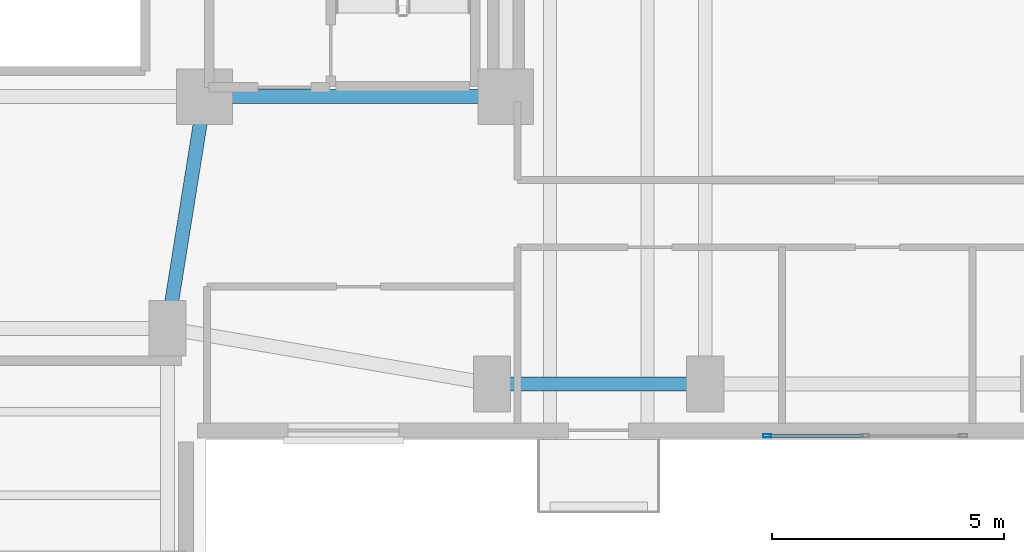
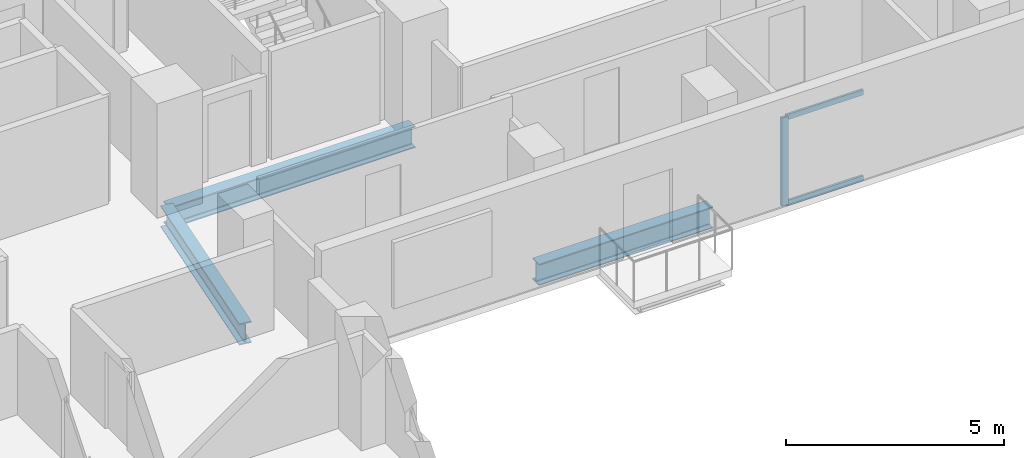
# One storey, part 4 of 14: 3 beams, 3 members, 1 element without a shape of its own.
"""IFC4 building model written with IfcOpenShell, lengths in metres."""

import ifcopenshell
import ifcopenshell.guid

model = None  # the IFC model being written
_history = None  # IfcOwnerHistory: only IFC2X3 demands one
_inside = {}  # id of a spatial element -> (the spatial element, [elements in it])
_under = {}  # id of a project, library or spatial element -> (it, [spatial elements below it])
_declared = {}  # id of a project -> (the project, [libraries it declares])
_typed = {}  # id of a type object -> (the type object, [elements of that type])
_made_of = {}  # id of a material, layer set ... -> (it, [elements and type objects made of it])


def new_model(schema):
    """Start an empty IFC model of exactly this schema.

    Asked for "IFC4X3", IfcOpenShell would pick the latest addendum, in which some entities
    have other attributes; the version numbers below select the first issue.
    IFC2X3 requires an IfcOwnerHistory on every rooted entity: one is made here for all.
    """
    global model, _history
    if schema == "IFC4X3":
        model = ifcopenshell.file(schema_version=(4, 3, 0, 0))
    else:
        model = ifcopenshell.file(schema=schema)
    _inside.clear()
    _under.clear()
    _declared.clear()
    _typed.clear()
    _made_of.clear()
    _history = None
    if model.schema == "IFC2X3":
        org = make("IfcOrganization", Name="unknown")
        user = make(
            "IfcPersonAndOrganization",
            ThePerson=make("IfcPerson", FamilyName="unknown"),
            TheOrganization=org,
        )
        app = make(
            "IfcApplication",
            ApplicationDeveloper=org,
            Version="unknown",
            ApplicationFullName="unknown",
            ApplicationIdentifier="unknown",
        )
        _history = make(
            "IfcOwnerHistory",
            OwningUser=user,
            OwningApplication=app,
            ChangeAction="ADDED",
            CreationDate=0,
        )
    return model


def make(cls, **values):
    """One entity of the class cls with the attributes given. An attribute that is None is left unset."""
    return model.create_entity(
        cls, **{name: value for name, value in values.items() if value is not None}
    )


def rooted(cls, **values):
    """An entity with a GlobalId (a new one), such as an element, a storey or a relation."""
    return make(cls, GlobalId=ifcopenshell.guid.new(), OwnerHistory=_history, **values)


def si_unit(unit_type, name, prefix=None):
    """IfcSIUnit, for example si_unit("LENGTHUNIT", "METRE", prefix="MILLI")."""
    return make("IfcSIUnit", UnitType=unit_type, Prefix=prefix, Name=name)


def assignment(units):
    """IfcUnitAssignment: the units of a project."""
    return None if units is None else make("IfcUnitAssignment", Units=units)


def point(xyz):
    """IfcCartesianPoint."""
    return None if xyz is None else make("IfcCartesianPoint", Coordinates=xyz)


def direction(xyz):
    """IfcDirection."""
    return None if xyz is None else make("IfcDirection", DirectionRatios=xyz)


def frame(location, z_axis=None, x_axis=None):
    """IfcAxis2Placement3D, a coordinate frame: its origin and axes. An axis left out is left unset."""
    return make(
        "IfcAxis2Placement3D",
        Location=point(location),
        Axis=direction(z_axis),
        RefDirection=direction(x_axis),
    )


def frame_2d(location, x_axis=None):
    """IfcAxis2Placement2D, a coordinate frame in the plane: its origin and x axis."""
    return make(
        "IfcAxis2Placement2D", Location=point(location), RefDirection=direction(x_axis)
    )


def origin():
    """The frame at (0, 0, 0) with its axes left unset."""
    return frame((0.0, 0.0, 0.0))


def origin_2d():
    """The frame at (0, 0) in the plane with its x axis left unset."""
    return frame_2d((0.0, 0.0))


def place(relative_to, where):
    """IfcLocalPlacement: puts the frame where relative to a parent placement (None: the world)."""
    return make(
        "IfcLocalPlacement", PlacementRelTo=relative_to, RelativePlacement=where
    )


def context(
    kind, dimensions, precision=None, world=None, true_north=None, identifier=None
):
    """IfcGeometricRepresentationContext, for example the 3D "Model" context."""
    return make(
        "IfcGeometricRepresentationContext",
        ContextIdentifier=identifier,
        ContextType=kind,
        CoordinateSpaceDimension=dimensions,
        Precision=precision,
        WorldCoordinateSystem=world,
        TrueNorth=true_north,
    )


def subcontext(parent, identifier, kind, view, scale=None):
    """IfcGeometricRepresentationSubContext, for example "Body" below "Model"."""
    return make(
        "IfcGeometricRepresentationSubContext",
        ContextIdentifier=identifier,
        ContextType=kind,
        ParentContext=parent,
        TargetScale=scale,
        TargetView=view,
    )


def project(units=None, contexts=None):
    """IfcProject with its units and contexts."""
    return rooted(
        "IfcProject",
        Name="project",
        RepresentationContexts=contexts,
        UnitsInContext=assignment(units),
    )


def spatial(cls, under=None, at=None, **own):
    """A site, building, storey or space (cls), placed at a placement, below another one or the project."""
    s = rooted(cls, ObjectPlacement=at, **own)
    if under is not None:
        _under.setdefault(under.id(), (under, []))[1].append(s)
    return s


def profile(cls, at=None, kind="AREA", **sizes):
    """A parametric profile (cls). Its sizes go by their IFC names, for example OverallWidth=200.0."""
    return make(cls, ProfileType=kind, Position=at, **sizes)


def hollow_rectangle(**sizes):
    """IfcRectangleHollowProfileDef."""
    return profile("IfcRectangleHollowProfileDef", **sizes)


def i_section(**sizes):
    """IfcIShapeProfileDef."""
    return profile("IfcIShapeProfileDef", **sizes)


def extrude(swept, where, along, depth):
    """IfcExtrudedAreaSolid: the profile swept, set in the frame where, extruded along a direction by depth."""
    return make(
        "IfcExtrudedAreaSolid",
        SweptArea=swept,
        Position=where,
        ExtrudedDirection=direction(along),
        Depth=depth,
    )


def shape(context_of_items, identifier, shape_type, items):
    """IfcShapeRepresentation: the items that make up one representation, for example the "Body"."""
    return make(
        "IfcShapeRepresentation",
        ContextOfItems=context_of_items,
        RepresentationIdentifier=identifier,
        RepresentationType=shape_type,
        Items=items,
    )


def material(Name=None, Category=None):
    """IfcMaterial."""
    return make("IfcMaterial", Name=Name, Category=Category)


def material_profile(
    of_material, cross_section, Name=None, Category=None, Priority=None
):
    """IfcMaterialProfile: a cross section and its material."""
    return make(
        "IfcMaterialProfile",
        Name=Name,
        Material=of_material,
        Profile=cross_section,
        Priority=Priority,
        Category=Category,
    )


def profile_set(profiles, Name=None, composite=None):
    """IfcMaterialProfileSet."""
    return make(
        "IfcMaterialProfileSet",
        Name=Name,
        MaterialProfiles=profiles,
        CompositeProfile=composite,
    )


def made_of(thing, what):
    """Note that an element or type object is made of a material, layer set ...; save() writes the relation."""
    if what is not None:
        _made_of.setdefault(what.id(), (what, []))[1].append(thing)
    return thing


def type_object(cls, material=None, **own):
    """A type object (cls), such as IfcWallType, which elements share."""
    return made_of(rooted(cls, **own), material)


def element(
    cls,
    number,
    at=None,
    inside=None,
    cuts=None,
    type_object=None,
    material=None,
    context=None,
    identifier="Body",
    shape_type=None,
    held_by="IfcProductDefinitionShape",
    body=None,
    shapes=None,
    **own,
):
    """One element of the class cls, such as IfcWall. Its Tag is "e" and its number.

    at: its placement. inside: the storey or other place that contains it. cuts: it is an
    opening in that element (IfcRelVoidsElement). A single representation is given by context,
    identifier, shape_type and body (its items); several are given by shapes. held_by: the class
    of the entity that holds the representations. save() writes the other relations.
    """
    e = rooted(cls, Tag="e%d" % number, ObjectPlacement=at, **own)
    if body is not None:
        shapes = [shape(context, identifier, shape_type, body)]
    if shapes is not None:
        e.Representation = make(held_by, Representations=shapes)
    if inside is not None:
        _inside.setdefault(inside.id(), (inside, []))[1].append(e)
    if cuts is not None:
        rooted(
            "IfcRelVoidsElement", RelatingBuildingElement=cuts, RelatedOpeningElement=e
        )
    if type_object is not None:
        _typed.setdefault(type_object.id(), (type_object, []))[1].append(e)
    return made_of(e, material)


def aggregate(whole, parts):
    """IfcRelAggregates: a whole, such as a stair, and the parts it consists of."""
    return rooted("IfcRelAggregates", RelatingObject=whole, RelatedObjects=parts)


def save(model, path):
    """Write the relations noted so far, then the file.

    IfcRelAggregates (storeys below a building ...), IfcRelContainedInSpatialStructure (elements
    in a storey), IfcRelDefinesByType, IfcRelAssociatesMaterial and IfcRelDeclares: one each for
    every whole, place, type object, material and project.
    """
    for whole, parts in _under.values():
        aggregate(whole, parts)
    for where, things in _inside.values():
        rooted(
            "IfcRelContainedInSpatialStructure",
            RelatedElements=things,
            RelatingStructure=where,
        )
    for kind, things in _typed.values():
        rooted("IfcRelDefinesByType", RelatedObjects=things, RelatingType=kind)
    for what, things in _made_of.values():
        rooted("IfcRelAssociatesMaterial", RelatedObjects=things, RelatingMaterial=what)
    for by, libraries in _declared.values():
        rooted("IfcRelDeclares", RelatingContext=by, RelatedDefinitions=libraries)
    model.write(path)


model = new_model("IFC4")

# Units and contexts
model_context = context("Model", 3, precision=1e-05, world=origin(), true_north=direction((0.0, 1.0)))
body_context = subcontext(model_context, "Body", "Model", "MODEL_VIEW")
ifc_project = project(units=[si_unit("LENGTHUNIT", "METRE"), si_unit("AREAUNIT", "SQUARE_METRE"), si_unit("VOLUMEUNIT", "CUBIC_METRE"), si_unit("PLANEANGLEUNIT", "RADIAN"), si_unit("MASSUNIT", "GRAM", prefix="KILO")], contexts=[model_context])

# Site, building, storey
site_placement = place(None, origin())
site = spatial("IfcSite", under=ifc_project, at=site_placement, CompositionType="ELEMENT")
building_placement = place(site_placement, origin())
building = spatial("IfcBuilding", under=site, at=building_placement, Name="Kuzgunbayir Cultural Tower", CompositionType="ELEMENT")
storey_placement = place(building_placement, frame((0.0, 0.0, 69.199951171875)))
storey = spatial("IfcBuildingStorey", under=building, at=storey_placement, Name="L19", CompositionType="ELEMENT", Elevation=69.199951171875)

# Beams
ifc_material_1 = material(Name="Steel S355J2", Category="steel")
ifc_material_profile_1 = material_profile(ifc_material_1, i_section(OverallWidth=0.300048828125, OverallDepth=0.60009765625, WebThickness=0.015380859375, FlangeThickness=0.030029296875, FilletRadius=0.027099609375, at=origin_2d()), Name="HEB 600")
ifc_profile_set_1 = profile_set([ifc_material_profile_1], Name="Steel S355J2")
beam_type_1 = type_object("IfcBeamType", Name="BM-EXT-HEB600", PredefinedType="BEAM", material=ifc_profile_set_1)
beam_1_placement = place(storey_placement, frame((26.60009765625, 27.60009765625, -0.47998046875), z_axis=(1.0, 0.0, 0.0), x_axis=(0.0, 1.0, 0.0)))
element("IfcBeam", 1, at=beam_1_placement, inside=storey, type_object=beam_type_1, Name="L19 Wing B South Girder 1", PredefinedType="BEAM", context=body_context, shape_type="SweptSolid", body=[
    extrude(i_section(OverallWidth=0.300048828125, OverallDepth=0.60009765625, WebThickness=0.015380859375, FlangeThickness=0.030029296875, FilletRadius=0.027099609375, at=origin_2d()), origin(), (0.0, 0.0, 1.0), 4.599853515625),
])
ifc_material_profile_2 = material_profile(ifc_material_1, i_section(OverallWidth=0.300048828125, OverallDepth=0.60009765625, WebThickness=0.015380859375, FlangeThickness=0.030029296875, FilletRadius=0.027099609375, at=origin_2d()), Name="HEB 600")
ifc_profile_set_2 = profile_set([ifc_material_profile_2], Name="Steel S355J2")
beam_type_2 = type_object("IfcBeamType", Name="BM-GIR-HEB600", PredefinedType="BEAM", material=ifc_profile_set_2)
beam_2_placement = place(storey_placement, frame((20.39990234375, 33.800048828125, -0.47998046875), z_axis=(1.0, 0.0, 0.0), x_axis=(0.0, 1.0, 0.0)))
element("IfcBeam", 2, at=beam_2_placement, inside=storey, type_object=beam_type_2, Name="L19 Core South Girder 3", PredefinedType="BEAM", context=body_context, shape_type="SweptSolid", body=[
    extrude(i_section(OverallWidth=0.300048828125, OverallDepth=0.60009765625, WebThickness=0.015380859375, FlangeThickness=0.030029296875, FilletRadius=0.027099609375, at=origin_2d()), origin(), (0.0, 0.0, 1.0), 6.5),
])
beam_3_placement = place(storey_placement, frame((19.60009765625, 28.800048828125, -0.47998046875), z_axis=(0.157952891656, 0.987446648694, 0.0), x_axis=(-0.987446648694, 0.157952891656, 0.0)))
element("IfcBeam", 3, at=beam_3_placement, inside=storey, type_object=beam_type_2, Name="L19 Wing A East Core Floor Girder", PredefinedType="BEAM", context=body_context, shape_type="SweptSolid", body=[
    extrude(i_section(OverallWidth=0.300048828125, OverallDepth=0.60009765625, WebThickness=0.015380859375, FlangeThickness=0.030029296875, FilletRadius=0.027099609375, at=origin_2d()), origin(), (0.0, 0.0, 1.0), 5.0634765625),
])

# Curtain wall, members
ifc_material_2 = material(Name="Anodised Aluminium Framing", Category="aluminium")
curtain_wall_type = type_object("IfcCurtainWallType", Name="CW03-T1-OFFICE", PredefinedType="NOTDEFINED", material=ifc_material_2)
curtain_wall_placement = place(storey_placement, origin())
curtain_wall = element("IfcCurtainWall", 4, at=curtain_wall_placement, inside=storey, type_object=curtain_wall_type, Name="L19 Wing B South Feature Curtain Wall", PredefinedType="NOTDEFINED")
ifc_material_profile_3 = material_profile(ifc_material_2, hollow_rectangle(XDim=0.074951171875, YDim=0.179931640625, WallThickness=0.0048828125, at=origin_2d()), Name="RHS 180x75x5")
ifc_profile_set_3 = profile_set([ifc_material_profile_3], Name="Anodised Aluminium Framing")
member_type_1 = type_object("IfcMemberType", Name="MEM-CW-MULLION-180", PredefinedType="MULLION", material=ifc_profile_set_3)
member_1_placement = place(storey_placement, frame((32.53759765625, 26.47998046875, 0.0), z_axis=(0.0, 0.0, 1.0), x_axis=(0.0, 1.0, 0.0)))
member_1 = element("IfcMember", 5, at=member_1_placement, type_object=member_type_1, Name="CW03 mullion 1", PredefinedType="MULLION", context=body_context, shape_type="SweptSolid", body=[
    extrude(hollow_rectangle(XDim=0.074951171875, YDim=0.179931640625, WallThickness=0.0048828125, at=origin_2d()), origin(), (0.0, 0.0, 1.0), 2.469970703125),
])
ifc_material_profile_4 = material_profile(ifc_material_2, hollow_rectangle(XDim=0.06005859375, YDim=0.14990234375, WallThickness=0.00390625, at=origin_2d()), Name="RHS 150x60x4")
ifc_profile_set_4 = profile_set([ifc_material_profile_4], Name="Anodised Aluminium Framing")
member_type_2 = type_object("IfcMemberType", Name="MEM-CW-TRANSOM-150", PredefinedType="USERDEFINED", material=ifc_profile_set_4)
member_2_placement = place(storey_placement, frame((32.574951171875, 26.47998046875, 0.030029296875), z_axis=(1.0, 0.0, 0.0), x_axis=(0.0, 1.0, 0.0)))
member_2 = element("IfcMember", 6, at=member_2_placement, type_object=member_type_2, Name="CW03 transom 1.1", ObjectType="TRANSOM", PredefinedType="USERDEFINED", context=body_context, shape_type="SweptSolid", body=[
    extrude(hollow_rectangle(XDim=0.06005859375, YDim=0.14990234375, WallThickness=0.00390625, at=origin_2d()), origin(), (0.0, 0.0, 1.0), 2.03759765625),
])
member_3_placement = place(storey_placement, frame((32.574951171875, 26.47998046875, 2.43994140625), z_axis=(1.0, 0.0, 0.0), x_axis=(0.0, 1.0, 0.0)))
member_3 = element("IfcMember", 7, at=member_3_placement, type_object=member_type_2, Name="CW03 transom 1.2", ObjectType="TRANSOM", PredefinedType="USERDEFINED", context=body_context, shape_type="SweptSolid", body=[
    extrude(hollow_rectangle(XDim=0.06005859375, YDim=0.14990234375, WallThickness=0.00390625, at=origin_2d()), origin(), (0.0, 0.0, 1.0), 2.03759765625),
])
aggregate(curtain_wall, [member_1, member_2, member_3])

save(model, "model.ifc")
